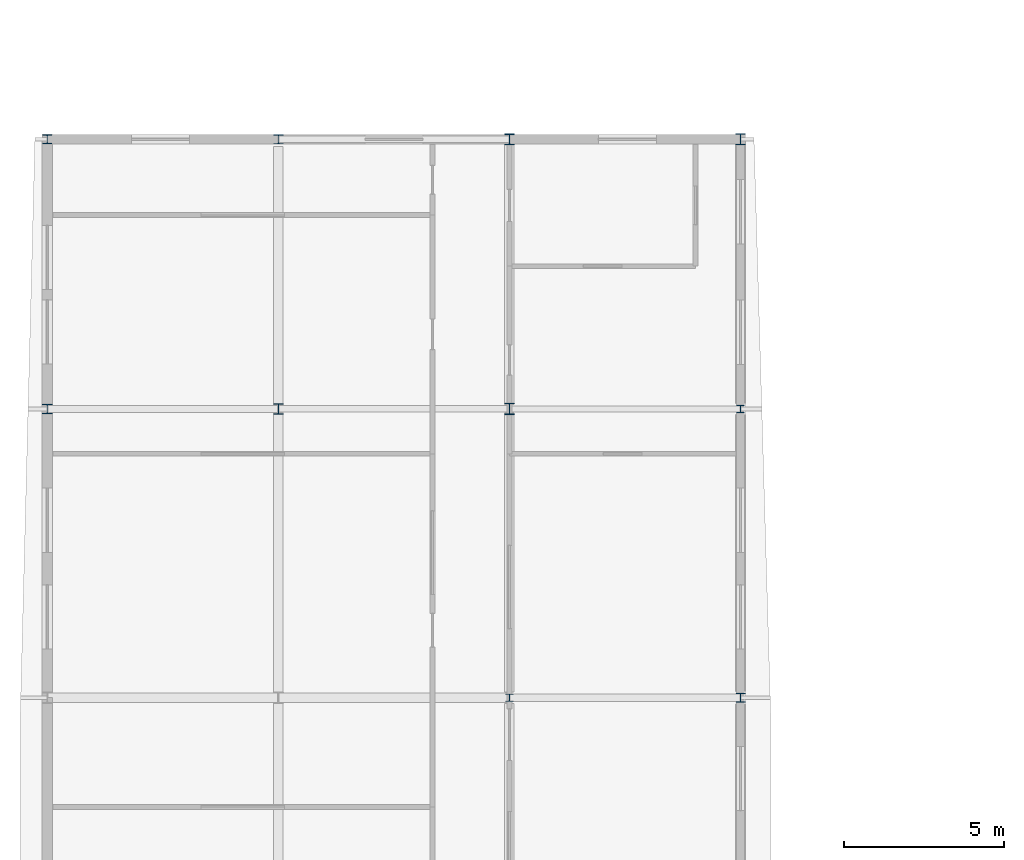
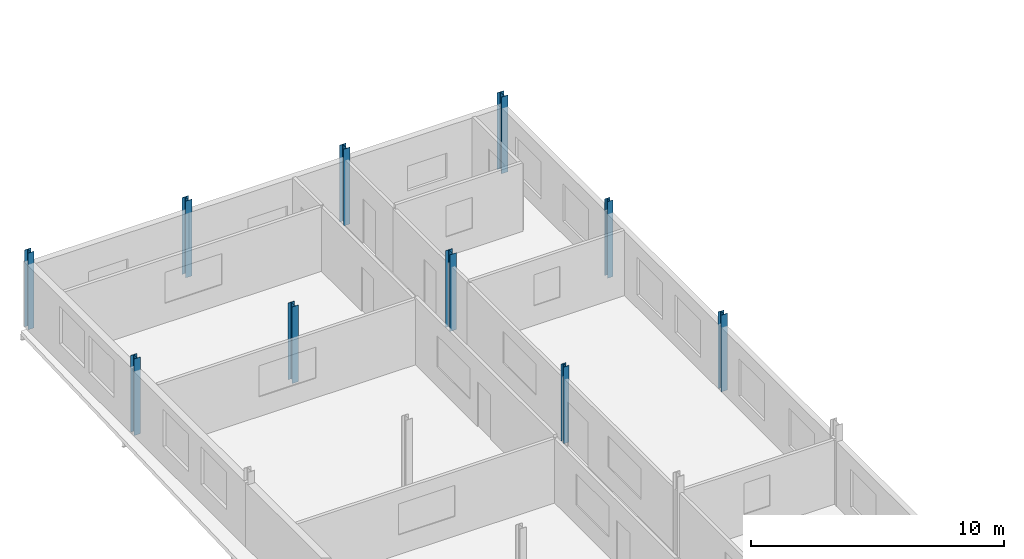
# One storey, part 4 of 30: 10 columns.
"""IFC4 building model written with IfcOpenShell, lengths in metres."""

import ifcopenshell
import ifcopenshell.guid

model = None  # the IFC model being written
_history = None  # IfcOwnerHistory: only IFC2X3 demands one
_inside = {}  # id of a spatial element -> (the spatial element, [elements in it])
_under = {}  # id of a project, library or spatial element -> (it, [spatial elements below it])
_declared = {}  # id of a project -> (the project, [libraries it declares])
_typed = {}  # id of a type object -> (the type object, [elements of that type])
_made_of = {}  # id of a material, layer set ... -> (it, [elements and type objects made of it])


def new_model(schema):
    """Start an empty IFC model of exactly this schema.

    Asked for "IFC4X3", IfcOpenShell would pick the latest addendum, in which some entities
    have other attributes; the version numbers below select the first issue.
    IFC2X3 requires an IfcOwnerHistory on every rooted entity: one is made here for all.
    """
    global model, _history
    if schema == "IFC4X3":
        model = ifcopenshell.file(schema_version=(4, 3, 0, 0))
    else:
        model = ifcopenshell.file(schema=schema)
    _inside.clear()
    _under.clear()
    _declared.clear()
    _typed.clear()
    _made_of.clear()
    _history = None
    if model.schema == "IFC2X3":
        org = make("IfcOrganization", Name="unknown")
        user = make(
            "IfcPersonAndOrganization",
            ThePerson=make("IfcPerson", FamilyName="unknown"),
            TheOrganization=org,
        )
        app = make(
            "IfcApplication",
            ApplicationDeveloper=org,
            Version="unknown",
            ApplicationFullName="unknown",
            ApplicationIdentifier="unknown",
        )
        _history = make(
            "IfcOwnerHistory",
            OwningUser=user,
            OwningApplication=app,
            ChangeAction="ADDED",
            CreationDate=0,
        )
    return model


def make(cls, **values):
    """One entity of the class cls with the attributes given. An attribute that is None is left unset."""
    return model.create_entity(
        cls, **{name: value for name, value in values.items() if value is not None}
    )


def rooted(cls, **values):
    """An entity with a GlobalId (a new one), such as an element, a storey or a relation."""
    return make(cls, GlobalId=ifcopenshell.guid.new(), OwnerHistory=_history, **values)


def si_unit(unit_type, name, prefix=None):
    """IfcSIUnit, for example si_unit("LENGTHUNIT", "METRE", prefix="MILLI")."""
    return make("IfcSIUnit", UnitType=unit_type, Prefix=prefix, Name=name)


def assignment(units):
    """IfcUnitAssignment: the units of a project."""
    return None if units is None else make("IfcUnitAssignment", Units=units)


def point(xyz):
    """IfcCartesianPoint."""
    return None if xyz is None else make("IfcCartesianPoint", Coordinates=xyz)


def direction(xyz):
    """IfcDirection."""
    return None if xyz is None else make("IfcDirection", DirectionRatios=xyz)


def frame(location, z_axis=None, x_axis=None):
    """IfcAxis2Placement3D, a coordinate frame: its origin and axes. An axis left out is left unset."""
    return make(
        "IfcAxis2Placement3D",
        Location=point(location),
        Axis=direction(z_axis),
        RefDirection=direction(x_axis),
    )


def frame_2d(location, x_axis=None):
    """IfcAxis2Placement2D, a coordinate frame in the plane: its origin and x axis."""
    return make(
        "IfcAxis2Placement2D", Location=point(location), RefDirection=direction(x_axis)
    )


def origin():
    """The frame at (0, 0, 0) with its axes left unset."""
    return frame((0.0, 0.0, 0.0))


def origin_2d():
    """The frame at (0, 0) in the plane with its x axis left unset."""
    return frame_2d((0.0, 0.0))


def place(relative_to, where):
    """IfcLocalPlacement: puts the frame where relative to a parent placement (None: the world)."""
    return make(
        "IfcLocalPlacement", PlacementRelTo=relative_to, RelativePlacement=where
    )


def context(
    kind, dimensions, precision=None, world=None, true_north=None, identifier=None
):
    """IfcGeometricRepresentationContext, for example the 3D "Model" context."""
    return make(
        "IfcGeometricRepresentationContext",
        ContextIdentifier=identifier,
        ContextType=kind,
        CoordinateSpaceDimension=dimensions,
        Precision=precision,
        WorldCoordinateSystem=world,
        TrueNorth=true_north,
    )


def subcontext(parent, identifier, kind, view, scale=None):
    """IfcGeometricRepresentationSubContext, for example "Body" below "Model"."""
    return make(
        "IfcGeometricRepresentationSubContext",
        ContextIdentifier=identifier,
        ContextType=kind,
        ParentContext=parent,
        TargetScale=scale,
        TargetView=view,
    )


def project(units=None, contexts=None):
    """IfcProject with its units and contexts."""
    return rooted(
        "IfcProject",
        Name="project",
        RepresentationContexts=contexts,
        UnitsInContext=assignment(units),
    )


def spatial(cls, under=None, at=None, **own):
    """A site, building, storey or space (cls), placed at a placement, below another one or the project."""
    s = rooted(cls, ObjectPlacement=at, **own)
    if under is not None:
        _under.setdefault(under.id(), (under, []))[1].append(s)
    return s


def profile(cls, at=None, kind="AREA", **sizes):
    """A parametric profile (cls). Its sizes go by their IFC names, for example OverallWidth=200.0."""
    return make(cls, ProfileType=kind, Position=at, **sizes)


def i_section(**sizes):
    """IfcIShapeProfileDef."""
    return profile("IfcIShapeProfileDef", **sizes)


def extrude(swept, where, along, depth):
    """IfcExtrudedAreaSolid: the profile swept, set in the frame where, extruded along a direction by depth."""
    return make(
        "IfcExtrudedAreaSolid",
        SweptArea=swept,
        Position=where,
        ExtrudedDirection=direction(along),
        Depth=depth,
    )


def shape(context_of_items, identifier, shape_type, items):
    """IfcShapeRepresentation: the items that make up one representation, for example the "Body"."""
    return make(
        "IfcShapeRepresentation",
        ContextOfItems=context_of_items,
        RepresentationIdentifier=identifier,
        RepresentationType=shape_type,
        Items=items,
    )


def material(Name=None, Category=None):
    """IfcMaterial."""
    return make("IfcMaterial", Name=Name, Category=Category)


def material_profile(
    of_material, cross_section, Name=None, Category=None, Priority=None
):
    """IfcMaterialProfile: a cross section and its material."""
    return make(
        "IfcMaterialProfile",
        Name=Name,
        Material=of_material,
        Profile=cross_section,
        Priority=Priority,
        Category=Category,
    )


def profile_set(profiles, Name=None, composite=None):
    """IfcMaterialProfileSet."""
    return make(
        "IfcMaterialProfileSet",
        Name=Name,
        MaterialProfiles=profiles,
        CompositeProfile=composite,
    )


def made_of(thing, what):
    """Note that an element or type object is made of a material, layer set ...; save() writes the relation."""
    if what is not None:
        _made_of.setdefault(what.id(), (what, []))[1].append(thing)
    return thing


def type_object(cls, material=None, **own):
    """A type object (cls), such as IfcWallType, which elements share."""
    return made_of(rooted(cls, **own), material)


def element(
    cls,
    number,
    at=None,
    inside=None,
    cuts=None,
    type_object=None,
    material=None,
    context=None,
    identifier="Body",
    shape_type=None,
    held_by="IfcProductDefinitionShape",
    body=None,
    shapes=None,
    **own,
):
    """One element of the class cls, such as IfcWall. Its Tag is "e" and its number.

    at: its placement. inside: the storey or other place that contains it. cuts: it is an
    opening in that element (IfcRelVoidsElement). A single representation is given by context,
    identifier, shape_type and body (its items); several are given by shapes. held_by: the class
    of the entity that holds the representations. save() writes the other relations.
    """
    e = rooted(cls, Tag="e%d" % number, ObjectPlacement=at, **own)
    if body is not None:
        shapes = [shape(context, identifier, shape_type, body)]
    if shapes is not None:
        e.Representation = make(held_by, Representations=shapes)
    if inside is not None:
        _inside.setdefault(inside.id(), (inside, []))[1].append(e)
    if cuts is not None:
        rooted(
            "IfcRelVoidsElement", RelatingBuildingElement=cuts, RelatedOpeningElement=e
        )
    if type_object is not None:
        _typed.setdefault(type_object.id(), (type_object, []))[1].append(e)
    return made_of(e, material)


def aggregate(whole, parts):
    """IfcRelAggregates: a whole, such as a stair, and the parts it consists of."""
    return rooted("IfcRelAggregates", RelatingObject=whole, RelatedObjects=parts)


def save(model, path):
    """Write the relations noted so far, then the file.

    IfcRelAggregates (storeys below a building ...), IfcRelContainedInSpatialStructure (elements
    in a storey), IfcRelDefinesByType, IfcRelAssociatesMaterial and IfcRelDeclares: one each for
    every whole, place, type object, material and project.
    """
    for whole, parts in _under.values():
        aggregate(whole, parts)
    for where, things in _inside.values():
        rooted(
            "IfcRelContainedInSpatialStructure",
            RelatedElements=things,
            RelatingStructure=where,
        )
    for kind, things in _typed.values():
        rooted("IfcRelDefinesByType", RelatedObjects=things, RelatingType=kind)
    for what, things in _made_of.values():
        rooted("IfcRelAssociatesMaterial", RelatedObjects=things, RelatingMaterial=what)
    for by, libraries in _declared.values():
        rooted("IfcRelDeclares", RelatingContext=by, RelatedDefinitions=libraries)
    model.write(path)


model = new_model("IFC4")

# Units and contexts
model_context = context("Model", 3, precision=1e-05, world=origin(), true_north=direction((0.0, 1.0)))
body_context = subcontext(model_context, "Body", "Model", "MODEL_VIEW")
ifc_project = project(units=[si_unit("LENGTHUNIT", "METRE"), si_unit("AREAUNIT", "SQUARE_METRE"), si_unit("VOLUMEUNIT", "CUBIC_METRE"), si_unit("PLANEANGLEUNIT", "RADIAN"), si_unit("MASSUNIT", "GRAM", prefix="KILO")], contexts=[model_context])

# Site, building, storey
site_placement = place(None, origin())
site = spatial("IfcSite", under=ifc_project, at=site_placement, CompositionType="ELEMENT")
building_placement = place(site_placement, origin())
building = spatial("IfcBuilding", under=site, at=building_placement, Name="Vinh Khe Railworks Police Headquarters", CompositionType="ELEMENT")
storey_placement = place(building_placement, frame((0.0, 0.0, 21.0)))
storey = spatial("IfcBuildingStorey", under=building, at=storey_placement, Name="L05", CompositionType="ELEMENT", Elevation=21.0)

# Columns
ifc_material = material(Name="Steel S355JR", Category="steel")
ifc_material_profile_1 = material_profile(ifc_material, i_section(OverallWidth=0.239990234375, OverallDepth=0.22998046875, WebThickness=0.007568359375, FlangeThickness=0.011962890625, FilletRadius=0.02099609375, at=origin_2d()), Name="HEA 240")
ifc_profile_set_1 = profile_set([ifc_material_profile_1], Name="Steel S355JR")
column_type_1 = type_object("IfcColumnType", Name="Steel Column HEA 240", PredefinedType="COLUMN", material=ifc_profile_set_1)
for number, where, z_axis, x_axis, name in (
    (1, (15.0, 113.39990234375, 0.0), (0.0, 0.0, 1.0), (1.0, 0.0, 0.0), "Column COL-L05-SC-20-0487"),
    (2, (22.199951171875, 122.39990234375, 0.0), (0.0, 0.0, 1.0), (1.0, 0.0, 0.0), "Column COL-L05-SC-20-0647"),
):
    element("IfcColumn", number, at=place(storey_placement, frame(where, z_axis=z_axis, x_axis=x_axis)), inside=storey, type_object=column_type_1, Name=name, PredefinedType="COLUMN", context=body_context, shape_type="SweptSolid", body=[
        extrude(i_section(OverallWidth=0.239990234375, OverallDepth=0.22998046875, WebThickness=0.007568359375, FlangeThickness=0.011962890625, FilletRadius=0.02099609375, at=origin_2d()), origin(), (0.0, 0.0, 1.0), 3.699951171875),
    ])
ifc_material_profile_2 = material_profile(ifc_material, i_section(OverallWidth=0.280029296875, OverallDepth=0.27001953125, WebThickness=0.008056640625, FlangeThickness=0.012939453125, FilletRadius=0.02392578125, at=origin_2d()), Name="HEA 280")
ifc_profile_set_2 = profile_set([ifc_material_profile_2], Name="Steel S355JR")
column_type_2 = type_object("IfcColumnType", Name="Steel Column HEA 280", PredefinedType="COLUMN", material=ifc_profile_set_2)
for number, where, z_axis, x_axis, name in (
    (3, (0.60009765625, 130.800048828125, 0.0), (0.0, 0.0, 1.0), (1.0, 0.0, 0.0), "Column COL-L05-SC-19-0167"),
    (4, (22.199951171875, 113.39990234375, 0.0), (0.0, 0.0, 1.0), (1.0, 0.0, 0.0), "Column COL-L05-SC-19-0640"),
):
    element("IfcColumn", number, at=place(storey_placement, frame(where, z_axis=z_axis, x_axis=x_axis)), inside=storey, type_object=column_type_2, Name=name, PredefinedType="COLUMN", context=body_context, shape_type="SweptSolid", body=[
        extrude(i_section(OverallWidth=0.280029296875, OverallDepth=0.27001953125, WebThickness=0.008056640625, FlangeThickness=0.012939453125, FilletRadius=0.02392578125, at=origin_2d()), origin(), (0.0, 0.0, 1.0), 3.699951171875),
    ])
ifc_material_profile_3 = material_profile(ifc_material, i_section(OverallWidth=0.300048828125, OverallDepth=0.2900390625, WebThickness=0.008544921875, FlangeThickness=0.013916015625, FilletRadius=0.027099609375, at=origin_2d()), Name="HEA 300")
ifc_profile_set_3 = profile_set([ifc_material_profile_3], Name="Steel S355JR")
column_type_3 = type_object("IfcColumnType", Name="Steel Column HEA 300", PredefinedType="COLUMN", material=ifc_profile_set_3)
for number, where, z_axis, x_axis, name in (
    (5, (0.60009765625, 122.39990234375, 0.0), (0.0, 0.0, 1.0), (1.0, 0.0, 0.0), "Column COL-L05-SC-18-0160"),
    (6, (7.800048828125, 130.800048828125, 0.0), (0.0, 0.0, 1.0), (1.0, 0.0, 0.0), "Column COL-L05-SC-18-0334"),
):
    element("IfcColumn", number, at=place(storey_placement, frame(where, z_axis=z_axis, x_axis=x_axis)), inside=storey, type_object=column_type_3, Name=name, PredefinedType="COLUMN", context=body_context, shape_type="SweptSolid", body=[
        extrude(i_section(OverallWidth=0.300048828125, OverallDepth=0.2900390625, WebThickness=0.008544921875, FlangeThickness=0.013916015625, FilletRadius=0.027099609375, at=origin_2d()), origin(), (0.0, 0.0, 1.0), 3.699951171875),
    ])
ifc_material_profile_4 = material_profile(ifc_material, i_section(OverallWidth=0.300048828125, OverallDepth=0.330078125, WebThickness=0.009521484375, FlangeThickness=0.0166015625, FilletRadius=0.027099609375, at=origin_2d()), Name="HEA 340")
ifc_profile_set_4 = profile_set([ifc_material_profile_4], Name="Steel S355JR")
column_type_4 = type_object("IfcColumnType", Name="Steel Column HEA 340", PredefinedType="COLUMN", material=ifc_profile_set_4)
for number, where, z_axis, x_axis, name in (
    (7, (7.800048828125, 122.39990234375, 0.0), (0.0, 0.0, 1.0), (1.0, 0.0, 0.0), "Column COL-L05-SC-17-0327"),
    (8, (15.0, 130.800048828125, 0.0), (0.0, 0.0, 1.0), (1.0, 0.0, 0.0), "Column COL-L05-SC-17-0501"),
):
    element("IfcColumn", number, at=place(storey_placement, frame(where, z_axis=z_axis, x_axis=x_axis)), inside=storey, type_object=column_type_4, Name=name, PredefinedType="COLUMN", context=body_context, shape_type="SweptSolid", body=[
        extrude(i_section(OverallWidth=0.300048828125, OverallDepth=0.330078125, WebThickness=0.009521484375, FlangeThickness=0.0166015625, FilletRadius=0.027099609375, at=origin_2d()), origin(), (0.0, 0.0, 1.0), 3.699951171875),
    ])
ifc_material_profile_5 = material_profile(ifc_material, i_section(OverallWidth=0.300048828125, OverallDepth=0.35009765625, WebThickness=0.010009765625, FlangeThickness=0.017578125, FilletRadius=0.027099609375, at=origin_2d()), Name="HEA 360")
ifc_profile_set_5 = profile_set([ifc_material_profile_5], Name="Steel S355JR")
column_type_5 = type_object("IfcColumnType", Name="Steel Column HEA 360", PredefinedType="COLUMN", material=ifc_profile_set_5)
for number, where, z_axis, x_axis, name in (
    (9, (15.0, 122.39990234375, 0.0), (0.0, 0.0, 1.0), (1.0, 0.0, 0.0), "Column COL-L05-SC-16-0494"),
    (10, (22.199951171875, 130.800048828125, 0.0), (0.0, 0.0, 1.0), (1.0, 0.0, 0.0), "Column COL-L05-SC-16-0654"),
):
    element("IfcColumn", number, at=place(storey_placement, frame(where, z_axis=z_axis, x_axis=x_axis)), inside=storey, type_object=column_type_5, Name=name, PredefinedType="COLUMN", context=body_context, shape_type="SweptSolid", body=[
        extrude(i_section(OverallWidth=0.300048828125, OverallDepth=0.35009765625, WebThickness=0.010009765625, FlangeThickness=0.017578125, FilletRadius=0.027099609375, at=origin_2d()), origin(), (0.0, 0.0, 1.0), 3.699951171875),
    ])

save(model, "model.ifc")
